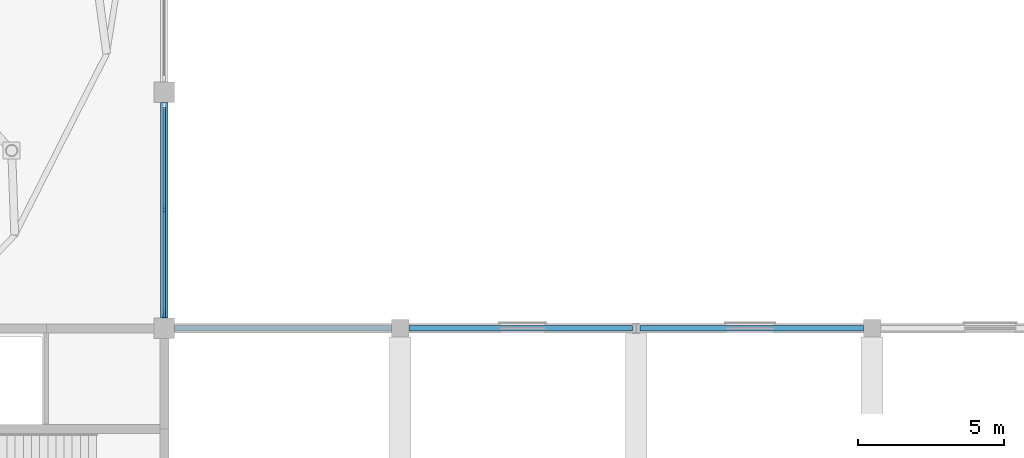
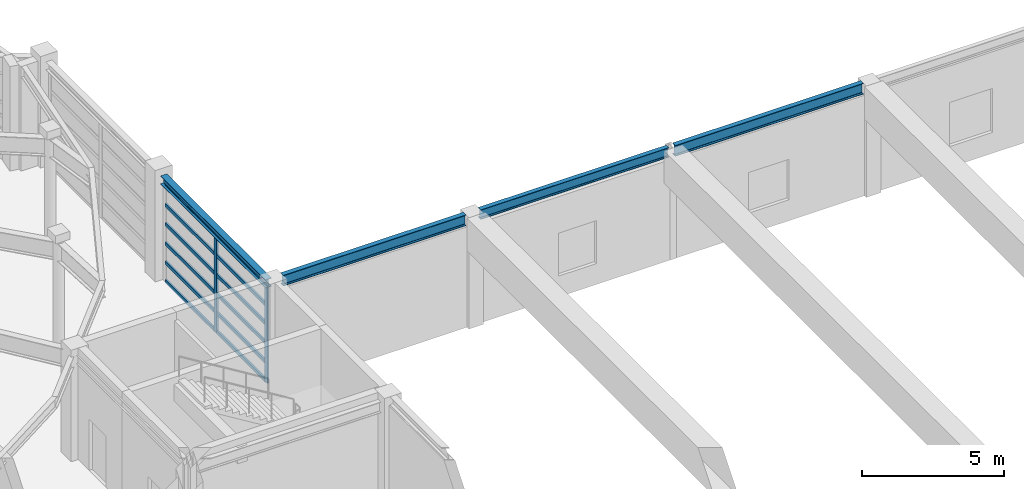
# One storey, part 20 of 58: 14 members, 4 beams, 1 element without a shape of its own.
"""IFC4 building model written with IfcOpenShell, lengths in metres."""

from ifc_helpers import new_model, si_unit, direction, frame, origin, origin_2d, place, context, subcontext, project, spatial, rectangle, i_section, extrude, material, material_profile, profile_set, type_object, element, aggregate, save


model = new_model("IFC4")

# Units and contexts
model_context = context("Model", 3, precision=1e-05, world=origin(), true_north=direction((0.0, 1.0)))
body_context = subcontext(model_context, "Body", "Model", "MODEL_VIEW")
ifc_project = project(units=[si_unit("LENGTHUNIT", "METRE"), si_unit("AREAUNIT", "SQUARE_METRE"), si_unit("VOLUMEUNIT", "CUBIC_METRE"), si_unit("PLANEANGLEUNIT", "RADIAN"), si_unit("MASSUNIT", "GRAM", prefix="KILO")], contexts=[model_context])

# Site, building, storey
site_placement = place(None, origin())
site = spatial("IfcSite", under=ifc_project, at=site_placement, CompositionType="ELEMENT")
building_placement = place(site_placement, origin())
building = spatial("IfcBuilding", under=site, at=building_placement, Name="Parian Resonance Hall", CompositionType="ELEMENT")
storey_placement = place(building_placement, frame((0.0, 0.0, 10.199951171875)))
storey = spatial("IfcBuildingStorey", under=building, at=storey_placement, Name="L02", CompositionType="ELEMENT", Elevation=10.199951171875)

# Beams
ifc_material_1 = material(Name="Steel S355", Category="steel")
ifc_material_profile_1 = material_profile(ifc_material_1, i_section(OverallWidth=0.2548828125, OverallDepth=0.35693359375, WebThickness=0.010498046875, FlangeThickness=0.018310546875, FilletRadius=0.01513671875, at=origin_2d()), Name="W360x101")
ifc_profile_set_1 = profile_set([ifc_material_profile_1], Name="Steel S355")
beam_type_1 = type_object("IfcBeamType", Name="BM-W360x101", PredefinedType="SPANDREL", material=ifc_profile_set_1)
beam_1_placement = place(storey_placement, frame((72.89990234375, 24.64990234375, 4.321533203125), z_axis=(0.0, 1.0, 0.0), x_axis=(-1.0, 0.0, 0.0)))
element("IfcBeam", 1, at=beam_1_placement, inside=storey, type_object=beam_type_1, Name="GY-L02-0763", PredefinedType="SPANDREL", context=body_context, shape_type="SweptSolid", body=[
    extrude(i_section(OverallWidth=0.2548828125, OverallDepth=0.35693359375, WebThickness=0.010498046875, FlangeThickness=0.018310546875, FilletRadius=0.01513671875, at=origin_2d()), origin(), (0.0, 0.0, 1.0), 7.400146484375),
])
ifc_material_2 = material(Name="Steel S355", Category="steel")
ifc_material_profile_2 = material_profile(ifc_material_2, i_section(OverallWidth=0.180908203125, OverallDepth=0.4169921875, WebThickness=0.010986328125, FlangeThickness=0.018310546875, FilletRadius=0.01513671875, at=origin_2d()), Name="W410x85")
ifc_profile_set_2 = profile_set([ifc_material_profile_2], Name="Steel S355")
beam_type_2 = type_object("IfcBeamType", Name="BM-W410x85", PredefinedType="SPANDREL", material=ifc_profile_set_2)
beam_2_placement = place(storey_placement, frame((81.300048828125, 24.300048828125, 4.591552734375), z_axis=(1.0, 0.0, 0.0), x_axis=(0.0, 1.0, 0.0)))
element("IfcBeam", 2, at=beam_2_placement, inside=storey, type_object=beam_type_2, Name="GX-L02-0691", PredefinedType="SPANDREL", context=body_context, shape_type="SweptSolid", body=[
    extrude(i_section(OverallWidth=0.180908203125, OverallDepth=0.4169921875, WebThickness=0.010986328125, FlangeThickness=0.018310546875, FilletRadius=0.01513671875, at=origin_2d()), origin(), (0.0, 0.0, 1.0), 7.67236328125),
])
ifc_material_3 = material(Name="Steel S355", Category="steel")
ifc_material_profile_3 = material_profile(ifc_material_3, i_section(OverallWidth=0.194091796875, OverallDepth=0.468994140625, WebThickness=0.0126953125, FlangeThickness=0.0205078125, FilletRadius=0.01513671875, at=origin_2d()), Name="W460x106")
ifc_profile_set_3 = profile_set([ifc_material_profile_3], Name="Steel S355")
beam_type_3 = type_object("IfcBeamType", Name="BM-W460x106", PredefinedType="SPANDREL", material=ifc_profile_set_3)
beam_3_placement = place(storey_placement, frame((73.25, 24.300048828125, 4.5654296875), z_axis=(1.0, 0.0, 0.0), x_axis=(0.0, 1.0, 0.0)))
element("IfcBeam", 3, at=beam_3_placement, inside=storey, type_object=beam_type_3, Name="GX-L02-0686", PredefinedType="SPANDREL", context=body_context, shape_type="SweptSolid", body=[
    extrude(i_section(OverallWidth=0.194091796875, OverallDepth=0.468994140625, WebThickness=0.0126953125, FlangeThickness=0.0205078125, FilletRadius=0.01513671875, at=origin_2d()), origin(), (0.0, 0.0, 1.0), 7.449951171875),
])
beam_4_placement = place(storey_placement, frame((89.2275390625, 24.300048828125, 4.5654296875), z_axis=(1.0, 0.0, 0.0), x_axis=(0.0, 1.0, 0.0)))
element("IfcBeam", 4, at=beam_4_placement, inside=storey, type_object=beam_type_3, Name="GX-L02-0696", PredefinedType="SPANDREL", context=body_context, shape_type="SweptSolid", body=[
    extrude(i_section(OverallWidth=0.194091796875, OverallDepth=0.468994140625, WebThickness=0.0126953125, FlangeThickness=0.0205078125, FilletRadius=0.01513671875, at=origin_2d()), origin(), (0.0, 0.0, 1.0), 7.67236328125),
])

# Curtain wall, members
ifc_material_4 = material(Name="Bronze-anodised aluminium frame", Category="aluminium")
curtain_wall_type = type_object("IfcCurtainWallType", Name="CW-SYS-04", PredefinedType="NOTDEFINED", material=ifc_material_4)
curtain_wall_placement = place(storey_placement, origin())
curtain_wall = element("IfcCurtainWall", 5, at=curtain_wall_placement, inside=storey, type_object=curtain_wall_type, Name="Curtain wall CW-L02-132", PredefinedType="NOTDEFINED")
ifc_material_5 = material(Name="Bronze-anodised aluminium frame", Category="aluminium")
ifc_material_profile_4 = material_profile(ifc_material_5, rectangle(XDim=0.074951171875, YDim=0.199951171875, at=origin_2d()), Name="CWM-75x200")
ifc_profile_set_4 = profile_set([ifc_material_profile_4], Name="Bronze-anodised aluminium frame")
member_type_1 = type_object("IfcMemberType", Name="CWM-75x200", PredefinedType="MULLION", material=ifc_profile_set_4)
member_1_placement = place(storey_placement, frame((72.89990234375, 28.35009765625, -0.008056640625), z_axis=(0.0, 0.0, 1.0), x_axis=(1.0, 0.0, 0.0)))
member_1 = element("IfcMember", 6, at=member_1_placement, type_object=member_type_1, Name="CW-04 mullion 2", PredefinedType="MULLION", context=body_context, shape_type="SweptSolid", body=[
    extrude(rectangle(XDim=0.074951171875, YDim=0.199951171875, at=origin_2d()), origin(), (0.0, 0.0, 1.0), 4.155029296875),
])
member_2_placement = place(storey_placement, frame((72.89990234375, 24.767578125, -0.008056640625), z_axis=(0.0, 0.0, 1.0), x_axis=(1.0, 0.0, 0.0)))
member_2 = element("IfcMember", 7, at=member_2_placement, type_object=member_type_1, Name="CW-04 mullion 3", PredefinedType="MULLION", context=body_context, shape_type="SweptSolid", body=[
    extrude(rectangle(XDim=0.074951171875, YDim=0.199951171875, at=origin_2d()), origin(), (0.0, 0.0, 1.0), 4.155029296875),
])
ifc_material_6 = material(Name="Bronze-anodised aluminium frame", Category="aluminium")
ifc_material_profile_5 = material_profile(ifc_material_6, rectangle(XDim=0.074951171875, YDim=0.14990234375, at=origin_2d()), Name="CWT-75x150")
ifc_profile_set_5 = profile_set([ifc_material_profile_5], Name="Bronze-anodised aluminium frame")
member_type_2 = type_object("IfcMemberType", Name="CWT-75x150", PredefinedType="USERDEFINED", material=ifc_profile_set_5)
member_3_placement = place(storey_placement, frame((72.89990234375, 31.89501953125, 0.029541015625), z_axis=(0.0, -1.0, 0.0), x_axis=(1.0, 0.0, 0.0)))
member_3 = element("IfcMember", 8, at=member_3_placement, type_object=member_type_2, Name="CW-04 transom 1.1", ObjectType="TRANSOM", PredefinedType="USERDEFINED", context=body_context, shape_type="SweptSolid", body=[
    extrude(rectangle(XDim=0.074951171875, YDim=0.14990234375, at=origin_2d()), origin(), (0.0, 0.0, 1.0), 3.507568359375),
])
member_4_placement = place(storey_placement, frame((72.89990234375, 31.89501953125, 0.827392578125), z_axis=(0.0, -1.0, 0.0), x_axis=(1.0, 0.0, 0.0)))
member_4 = element("IfcMember", 9, at=member_4_placement, type_object=member_type_2, Name="CW-04 transom 1.2", ObjectType="TRANSOM", PredefinedType="USERDEFINED", context=body_context, shape_type="SweptSolid", body=[
    extrude(rectangle(XDim=0.074951171875, YDim=0.14990234375, at=origin_2d()), origin(), (0.0, 0.0, 1.0), 3.507568359375),
])
member_5_placement = place(storey_placement, frame((72.89990234375, 31.89501953125, 1.65478515625), z_axis=(0.0, -1.0, 0.0), x_axis=(1.0, 0.0, 0.0)))
member_5 = element("IfcMember", 10, at=member_5_placement, type_object=member_type_2, Name="CW-04 transom 1.3", ObjectType="TRANSOM", PredefinedType="USERDEFINED", context=body_context, shape_type="SweptSolid", body=[
    extrude(rectangle(XDim=0.074951171875, YDim=0.14990234375, at=origin_2d()), origin(), (0.0, 0.0, 1.0), 3.507568359375),
])
member_6_placement = place(storey_placement, frame((72.89990234375, 31.89501953125, 2.482177734375), z_axis=(0.0, -1.0, 0.0), x_axis=(1.0, 0.0, 0.0)))
member_6 = element("IfcMember", 11, at=member_6_placement, type_object=member_type_2, Name="CW-04 transom 1.4", ObjectType="TRANSOM", PredefinedType="USERDEFINED", context=body_context, shape_type="SweptSolid", body=[
    extrude(rectangle(XDim=0.074951171875, YDim=0.14990234375, at=origin_2d()), origin(), (0.0, 0.0, 1.0), 3.507568359375),
])
member_7_placement = place(storey_placement, frame((72.89990234375, 31.89501953125, 3.3095703125), z_axis=(0.0, -1.0, 0.0), x_axis=(1.0, 0.0, 0.0)))
member_7 = element("IfcMember", 12, at=member_7_placement, type_object=member_type_2, Name="CW-04 transom 1.5", ObjectType="TRANSOM", PredefinedType="USERDEFINED", context=body_context, shape_type="SweptSolid", body=[
    extrude(rectangle(XDim=0.074951171875, YDim=0.14990234375, at=origin_2d()), origin(), (0.0, 0.0, 1.0), 3.507568359375),
])
member_8_placement = place(storey_placement, frame((72.89990234375, 31.89501953125, 4.109619140625), z_axis=(0.0, -1.0, 0.0), x_axis=(1.0, 0.0, 0.0)))
member_8 = element("IfcMember", 13, at=member_8_placement, type_object=member_type_2, Name="CW-04 transom 1.6", ObjectType="TRANSOM", PredefinedType="USERDEFINED", context=body_context, shape_type="SweptSolid", body=[
    extrude(rectangle(XDim=0.074951171875, YDim=0.14990234375, at=origin_2d()), origin(), (0.0, 0.0, 1.0), 3.507568359375),
])
member_9_placement = place(storey_placement, frame((72.89990234375, 28.3125, 0.029541015625), z_axis=(0.0, -1.0, 0.0), x_axis=(1.0, 0.0, 0.0)))
member_9 = element("IfcMember", 14, at=member_9_placement, type_object=member_type_2, Name="CW-04 transom 2.1", ObjectType="TRANSOM", PredefinedType="USERDEFINED", context=body_context, shape_type="SweptSolid", body=[
    extrude(rectangle(XDim=0.074951171875, YDim=0.14990234375, at=origin_2d()), origin(), (0.0, 0.0, 1.0), 3.507568359375),
])
member_10_placement = place(storey_placement, frame((72.89990234375, 28.3125, 0.827392578125), z_axis=(0.0, -1.0, 0.0), x_axis=(1.0, 0.0, 0.0)))
member_10 = element("IfcMember", 15, at=member_10_placement, type_object=member_type_2, Name="CW-04 transom 2.2", ObjectType="TRANSOM", PredefinedType="USERDEFINED", context=body_context, shape_type="SweptSolid", body=[
    extrude(rectangle(XDim=0.074951171875, YDim=0.14990234375, at=origin_2d()), origin(), (0.0, 0.0, 1.0), 3.507568359375),
])
member_11_placement = place(storey_placement, frame((72.89990234375, 28.3125, 1.65478515625), z_axis=(0.0, -1.0, 0.0), x_axis=(1.0, 0.0, 0.0)))
member_11 = element("IfcMember", 16, at=member_11_placement, type_object=member_type_2, Name="CW-04 transom 2.3", ObjectType="TRANSOM", PredefinedType="USERDEFINED", context=body_context, shape_type="SweptSolid", body=[
    extrude(rectangle(XDim=0.074951171875, YDim=0.14990234375, at=origin_2d()), origin(), (0.0, 0.0, 1.0), 3.507568359375),
])
member_12_placement = place(storey_placement, frame((72.89990234375, 28.3125, 2.482177734375), z_axis=(0.0, -1.0, 0.0), x_axis=(1.0, 0.0, 0.0)))
member_12 = element("IfcMember", 17, at=member_12_placement, type_object=member_type_2, Name="CW-04 transom 2.4", ObjectType="TRANSOM", PredefinedType="USERDEFINED", context=body_context, shape_type="SweptSolid", body=[
    extrude(rectangle(XDim=0.074951171875, YDim=0.14990234375, at=origin_2d()), origin(), (0.0, 0.0, 1.0), 3.507568359375),
])
member_13_placement = place(storey_placement, frame((72.89990234375, 28.3125, 3.3095703125), z_axis=(0.0, -1.0, 0.0), x_axis=(1.0, 0.0, 0.0)))
member_13 = element("IfcMember", 18, at=member_13_placement, type_object=member_type_2, Name="CW-04 transom 2.5", ObjectType="TRANSOM", PredefinedType="USERDEFINED", context=body_context, shape_type="SweptSolid", body=[
    extrude(rectangle(XDim=0.074951171875, YDim=0.14990234375, at=origin_2d()), origin(), (0.0, 0.0, 1.0), 3.507568359375),
])
member_14_placement = place(storey_placement, frame((72.89990234375, 28.3125, 4.109619140625), z_axis=(0.0, -1.0, 0.0), x_axis=(1.0, 0.0, 0.0)))
member_14 = element("IfcMember", 19, at=member_14_placement, type_object=member_type_2, Name="CW-04 transom 2.6", ObjectType="TRANSOM", PredefinedType="USERDEFINED", context=body_context, shape_type="SweptSolid", body=[
    extrude(rectangle(XDim=0.074951171875, YDim=0.14990234375, at=origin_2d()), origin(), (0.0, 0.0, 1.0), 3.507568359375),
])
aggregate(curtain_wall, [member_1, member_2, member_3, member_4, member_5, member_6, member_7, member_8, member_9, member_10, member_11, member_12, member_13, member_14])

save(model, "model.ifc")
